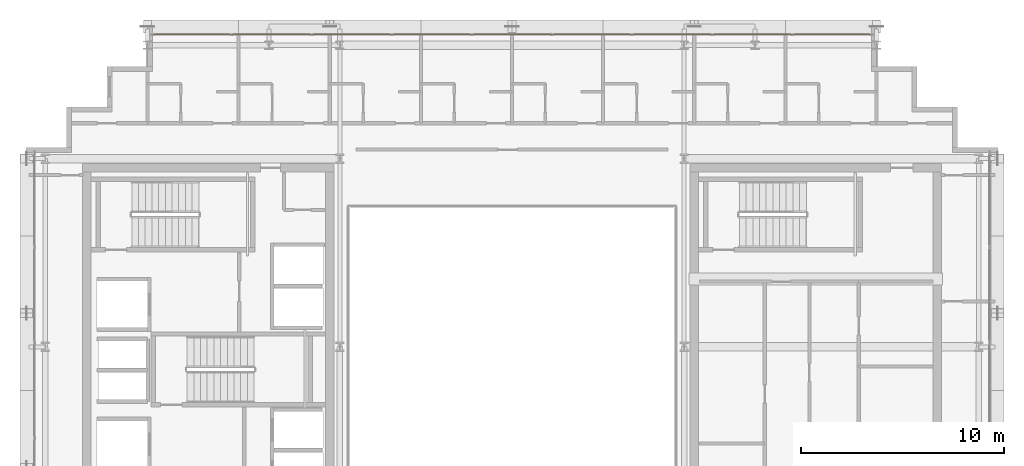
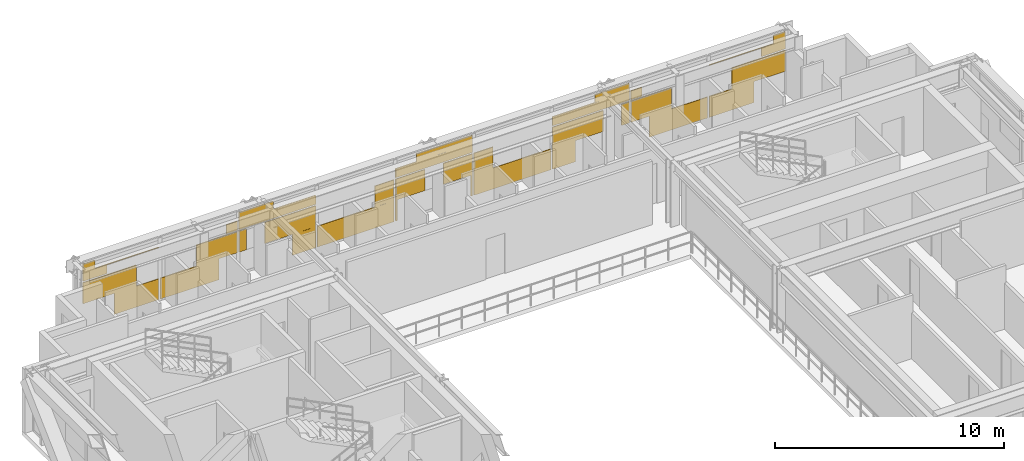
# One storey, part 28 of 28: 1 covering.
"""IFC4 building model written with IfcOpenShell, lengths in metres."""

import ifcopenshell
import ifcopenshell.guid

model = None  # the IFC model being written
_history = None  # IfcOwnerHistory: only IFC2X3 demands one
_inside = {}  # id of a spatial element -> (the spatial element, [elements in it])
_under = {}  # id of a project, library or spatial element -> (it, [spatial elements below it])
_declared = {}  # id of a project -> (the project, [libraries it declares])
_typed = {}  # id of a type object -> (the type object, [elements of that type])
_made_of = {}  # id of a material, layer set ... -> (it, [elements and type objects made of it])


def new_model(schema):
    """Start an empty IFC model of exactly this schema.

    Asked for "IFC4X3", IfcOpenShell would pick the latest addendum, in which some entities
    have other attributes; the version numbers below select the first issue.
    IFC2X3 requires an IfcOwnerHistory on every rooted entity: one is made here for all.
    """
    global model, _history
    if schema == "IFC4X3":
        model = ifcopenshell.file(schema_version=(4, 3, 0, 0))
    else:
        model = ifcopenshell.file(schema=schema)
    _inside.clear()
    _under.clear()
    _declared.clear()
    _typed.clear()
    _made_of.clear()
    _history = None
    if model.schema == "IFC2X3":
        org = make("IfcOrganization", Name="unknown")
        user = make(
            "IfcPersonAndOrganization",
            ThePerson=make("IfcPerson", FamilyName="unknown"),
            TheOrganization=org,
        )
        app = make(
            "IfcApplication",
            ApplicationDeveloper=org,
            Version="unknown",
            ApplicationFullName="unknown",
            ApplicationIdentifier="unknown",
        )
        _history = make(
            "IfcOwnerHistory",
            OwningUser=user,
            OwningApplication=app,
            ChangeAction="ADDED",
            CreationDate=0,
        )
    return model


def make(cls, **values):
    """One entity of the class cls with the attributes given. An attribute that is None is left unset."""
    return model.create_entity(
        cls, **{name: value for name, value in values.items() if value is not None}
    )


def rooted(cls, **values):
    """An entity with a GlobalId (a new one), such as an element, a storey or a relation."""
    return make(cls, GlobalId=ifcopenshell.guid.new(), OwnerHistory=_history, **values)


def si_unit(unit_type, name, prefix=None):
    """IfcSIUnit, for example si_unit("LENGTHUNIT", "METRE", prefix="MILLI")."""
    return make("IfcSIUnit", UnitType=unit_type, Prefix=prefix, Name=name)


def assignment(units):
    """IfcUnitAssignment: the units of a project."""
    return None if units is None else make("IfcUnitAssignment", Units=units)


def point(xyz):
    """IfcCartesianPoint."""
    return None if xyz is None else make("IfcCartesianPoint", Coordinates=xyz)


def direction(xyz):
    """IfcDirection."""
    return None if xyz is None else make("IfcDirection", DirectionRatios=xyz)


def frame(location, z_axis=None, x_axis=None):
    """IfcAxis2Placement3D, a coordinate frame: its origin and axes. An axis left out is left unset."""
    return make(
        "IfcAxis2Placement3D",
        Location=point(location),
        Axis=direction(z_axis),
        RefDirection=direction(x_axis),
    )


def frame_2d(location, x_axis=None):
    """IfcAxis2Placement2D, a coordinate frame in the plane: its origin and x axis."""
    return make(
        "IfcAxis2Placement2D", Location=point(location), RefDirection=direction(x_axis)
    )


def origin():
    """The frame at (0, 0, 0) with its axes left unset."""
    return frame((0.0, 0.0, 0.0))


def origin_2d():
    """The frame at (0, 0) in the plane with its x axis left unset."""
    return frame_2d((0.0, 0.0))


def place(relative_to, where):
    """IfcLocalPlacement: puts the frame where relative to a parent placement (None: the world)."""
    return make(
        "IfcLocalPlacement", PlacementRelTo=relative_to, RelativePlacement=where
    )


def context(
    kind, dimensions, precision=None, world=None, true_north=None, identifier=None
):
    """IfcGeometricRepresentationContext, for example the 3D "Model" context."""
    return make(
        "IfcGeometricRepresentationContext",
        ContextIdentifier=identifier,
        ContextType=kind,
        CoordinateSpaceDimension=dimensions,
        Precision=precision,
        WorldCoordinateSystem=world,
        TrueNorth=true_north,
    )


def subcontext(parent, identifier, kind, view, scale=None):
    """IfcGeometricRepresentationSubContext, for example "Body" below "Model"."""
    return make(
        "IfcGeometricRepresentationSubContext",
        ContextIdentifier=identifier,
        ContextType=kind,
        ParentContext=parent,
        TargetScale=scale,
        TargetView=view,
    )


def project(units=None, contexts=None):
    """IfcProject with its units and contexts."""
    return rooted(
        "IfcProject",
        Name="project",
        RepresentationContexts=contexts,
        UnitsInContext=assignment(units),
    )


def spatial(cls, under=None, at=None, **own):
    """A site, building, storey or space (cls), placed at a placement, below another one or the project."""
    s = rooted(cls, ObjectPlacement=at, **own)
    if under is not None:
        _under.setdefault(under.id(), (under, []))[1].append(s)
    return s


def profile(cls, at=None, kind="AREA", **sizes):
    """A parametric profile (cls). Its sizes go by their IFC names, for example OverallWidth=200.0."""
    return make(cls, ProfileType=kind, Position=at, **sizes)


def rectangle(**sizes):
    """IfcRectangleProfileDef."""
    return profile("IfcRectangleProfileDef", **sizes)


def extrude(swept, where, along, depth):
    """IfcExtrudedAreaSolid: the profile swept, set in the frame where, extruded along a direction by depth."""
    return make(
        "IfcExtrudedAreaSolid",
        SweptArea=swept,
        Position=where,
        ExtrudedDirection=direction(along),
        Depth=depth,
    )


def shape(context_of_items, identifier, shape_type, items):
    """IfcShapeRepresentation: the items that make up one representation, for example the "Body"."""
    return make(
        "IfcShapeRepresentation",
        ContextOfItems=context_of_items,
        RepresentationIdentifier=identifier,
        RepresentationType=shape_type,
        Items=items,
    )


def material(Name=None, Category=None):
    """IfcMaterial."""
    return make("IfcMaterial", Name=Name, Category=Category)


def layer(
    of_material, thickness, ventilated=None, Name=None, Category=None, Priority=None
):
    """IfcMaterialLayer: one layer of a wall or slab, of a material (None: an air gap)."""
    return make(
        "IfcMaterialLayer",
        Material=of_material,
        LayerThickness=thickness,
        IsVentilated=ventilated,
        Name=Name,
        Category=Category,
        Priority=Priority,
    )


def layer_set(layers, Name=None):
    """IfcMaterialLayerSet."""
    return make("IfcMaterialLayerSet", MaterialLayers=layers, LayerSetName=Name)


def made_of(thing, what):
    """Note that an element or type object is made of a material, layer set ...; save() writes the relation."""
    if what is not None:
        _made_of.setdefault(what.id(), (what, []))[1].append(thing)
    return thing


def type_object(cls, material=None, **own):
    """A type object (cls), such as IfcWallType, which elements share."""
    return made_of(rooted(cls, **own), material)


def element(
    cls,
    number,
    at=None,
    inside=None,
    cuts=None,
    type_object=None,
    material=None,
    context=None,
    identifier="Body",
    shape_type=None,
    held_by="IfcProductDefinitionShape",
    body=None,
    shapes=None,
    **own,
):
    """One element of the class cls, such as IfcWall. Its Tag is "e" and its number.

    at: its placement. inside: the storey or other place that contains it. cuts: it is an
    opening in that element (IfcRelVoidsElement). A single representation is given by context,
    identifier, shape_type and body (its items); several are given by shapes. held_by: the class
    of the entity that holds the representations. save() writes the other relations.
    """
    e = rooted(cls, Tag="e%d" % number, ObjectPlacement=at, **own)
    if body is not None:
        shapes = [shape(context, identifier, shape_type, body)]
    if shapes is not None:
        e.Representation = make(held_by, Representations=shapes)
    if inside is not None:
        _inside.setdefault(inside.id(), (inside, []))[1].append(e)
    if cuts is not None:
        rooted(
            "IfcRelVoidsElement", RelatingBuildingElement=cuts, RelatedOpeningElement=e
        )
    if type_object is not None:
        _typed.setdefault(type_object.id(), (type_object, []))[1].append(e)
    return made_of(e, material)


def aggregate(whole, parts):
    """IfcRelAggregates: a whole, such as a stair, and the parts it consists of."""
    return rooted("IfcRelAggregates", RelatingObject=whole, RelatedObjects=parts)


def save(model, path):
    """Write the relations noted so far, then the file.

    IfcRelAggregates (storeys below a building ...), IfcRelContainedInSpatialStructure (elements
    in a storey), IfcRelDefinesByType, IfcRelAssociatesMaterial and IfcRelDeclares: one each for
    every whole, place, type object, material and project.
    """
    for whole, parts in _under.values():
        aggregate(whole, parts)
    for where, things in _inside.values():
        rooted(
            "IfcRelContainedInSpatialStructure",
            RelatedElements=things,
            RelatingStructure=where,
        )
    for kind, things in _typed.values():
        rooted("IfcRelDefinesByType", RelatedObjects=things, RelatingType=kind)
    for what, things in _made_of.values():
        rooted("IfcRelAssociatesMaterial", RelatedObjects=things, RelatingMaterial=what)
    for by, libraries in _declared.values():
        rooted("IfcRelDeclares", RelatingContext=by, RelatedDefinitions=libraries)
    model.write(path)


model = new_model("IFC4")

# Units and contexts
model_context = context("Model", 3, precision=1e-05, world=origin(), true_north=direction((0.0, 1.0)))
body_context = subcontext(model_context, "Body", "Model", "MODEL_VIEW")
ifc_project = project(units=[si_unit("LENGTHUNIT", "METRE"), si_unit("AREAUNIT", "SQUARE_METRE"), si_unit("VOLUMEUNIT", "CUBIC_METRE"), si_unit("PLANEANGLEUNIT", "RADIAN"), si_unit("MASSUNIT", "GRAM", prefix="KILO")], contexts=[model_context])

# Site, building, storey
site_placement = place(None, origin())
site = spatial("IfcSite", under=ifc_project, at=site_placement, CompositionType="ELEMENT")
building_placement = place(site_placement, origin())
building = spatial("IfcBuilding", under=site, at=building_placement, Name="Ocotamira Hotel", CompositionType="ELEMENT")
storey_placement = place(building_placement, frame((0.0, 0.0, 240.0)))
storey = spatial("IfcBuildingStorey", under=building, at=storey_placement, Name="L60", CompositionType="ELEMENT", Elevation=240.0)

# Covering
ifc_material = material(Name="Insulated pale-metal aluminium spandrel panel", Category="aluminium")
ifc_layer = layer(ifc_material, 0.044921875)
ifc_layer_set = layer_set([ifc_layer], Name="Insulated pale-metal aluminium spandrel panel")
covering_type = type_object("IfcCoveringType", Name="COV-INFILL-45", PredefinedType="CLADDING", material=ifc_layer_set)
covering_placement = place(storey_placement, origin())
element("IfcCovering", 1, at=covering_placement, inside=storey, type_object=covering_type, Name="L60 Curtain Wall Infill CW-5 CW-L60-N", PredefinedType="CLADDING", context=body_context, shape_type="SweptSolid", body=[
    extrude(rectangle(XDim=2.69970703125, YDim=0.044921875, at=origin_2d()), frame((15.63037109375, 43.580078125, 1.1943359375), z_axis=(0.0, 0.0, 1.0), x_axis=(1.0, 0.0, 0.0)), (0.0, 0.0, 1.0), 1.117919921875),
    extrude(rectangle(XDim=2.25439453125, YDim=0.044921875, at=origin_2d()), frame((16.98779296875, 43.580078125, 0.07568359375), z_axis=(0.0, 0.0, 1.0), x_axis=(1.0, 0.0, 0.0)), (0.0, 0.0, 1.0), 1.117919921875),
    extrude(rectangle(XDim=1.20751953125, YDim=0.044921875, at=origin_2d()), frame((14.88427734375, 43.580078125, 2.3876953125), z_axis=(0.0, 0.0, 1.0), x_axis=(1.0, 0.0, 0.0)), (0.0, 0.0, 1.0), 0.449951171875),
    extrude(rectangle(XDim=3.834716796875, YDim=0.044921875, at=origin_2d()), frame((16.19775390625, 43.580078125, 2.8388671875), z_axis=(0.0, 0.0, 1.0), x_axis=(1.0, 0.0, 0.0)), (0.0, 0.0, 1.0), 0.032958984375),
    extrude(rectangle(XDim=0.601318359375, YDim=0.044921875, at=origin_2d()), frame((14.581298828125, 43.580078125, 2.872802734375), z_axis=(0.0, 0.0, 1.0), x_axis=(1.0, 0.0, 0.0)), (0.0, 0.0, 1.0), 0.431640625),
    extrude(rectangle(XDim=2.943359375, YDim=0.044921875, at=origin_2d()), frame((19.667724609375, 43.580078125, 0.07568359375), z_axis=(0.0, 0.0, 1.0), x_axis=(1.0, 0.0, 0.0)), (0.0, 0.0, 1.0), 1.117919921875),
    extrude(rectangle(XDim=2.05078125, YDim=0.044921875, at=origin_2d()), frame((21.04541015625, 43.580078125, 1.1943359375), z_axis=(0.0, 0.0, 1.0), x_axis=(1.0, 0.0, 0.0)), (0.0, 0.0, 1.0), 1.117919921875),
    extrude(rectangle(XDim=0.55859375, YDim=0.044921875, at=origin_2d()), frame((21.79150390625, 43.580078125, 2.387939453125), z_axis=(0.0, 0.0, 1.0), x_axis=(1.0, 0.0, 0.0)), (0.0, 0.0, 1.0), 0.48388671875),
    extrude(rectangle(XDim=0.38623046875, YDim=0.044921875, at=origin_2d()), frame((22.3447265625, 43.580078125, 1.1943359375), z_axis=(0.0, 0.0, 1.0), x_axis=(1.0, 0.0, 0.0)), (0.0, 0.0, 1.0), 1.117919921875),
    extrude(rectangle(XDim=2.564208984375, YDim=0.044921875, at=origin_2d()), frame((24.744140625, 43.580078125, 1.1943359375), z_axis=(0.0, 0.0, 1.0), x_axis=(1.0, 0.0, 0.0)), (0.0, 0.0, 1.0), 1.117919921875),
    extrude(rectangle(XDim=1.16552734375, YDim=0.044921875, at=origin_2d()), frame((25.443359375, 43.580078125, 0.07568359375), z_axis=(0.0, 0.0, 1.0), x_axis=(1.0, 0.0, 0.0)), (0.0, 0.0, 1.0), 1.117919921875),
    extrude(rectangle(XDim=3.87451171875, YDim=0.044921875, at=origin_2d()), frame((24.0888671875, 43.580078125, 2.387939453125), z_axis=(0.0, 0.0, 1.0), x_axis=(1.0, 0.0, 0.0)), (0.0, 0.0, 1.0), 0.48388671875),
    extrude(rectangle(XDim=1.730224609375, YDim=0.044921875, at=origin_2d()), frame((23.0166015625, 43.580078125, 2.872802734375), z_axis=(0.0, 0.0, 1.0), x_axis=(1.0, 0.0, 0.0)), (0.0, 0.0, 1.0), 0.431640625),
    extrude(rectangle(XDim=3.87451171875, YDim=0.044921875, at=origin_2d()), frame((28.04443359375, 43.580078125, 0.07568359375), z_axis=(0.0, 0.0, 1.0), x_axis=(1.0, 0.0, 0.0)), (0.0, 0.0, 1.0), 1.117919921875),
    extrude(rectangle(XDim=0.9619140625, YDim=0.044921875, at=origin_2d()), frame((29.500732421875, 43.580078125, 1.1943359375), z_axis=(0.0, 0.0, 1.0), x_axis=(1.0, 0.0, 0.0)), (0.0, 0.0, 1.0), 1.117919921875),
    extrude(rectangle(XDim=0.07666015625, YDim=0.044921875, at=origin_2d()), frame((30.10107421875, 43.580078125, 0.07568359375), z_axis=(0.0, 0.0, 1.0), x_axis=(1.0, 0.0, 0.0)), (0.0, 0.0, 1.0), 1.117919921875),
    extrude(rectangle(XDim=1.47509765625, YDim=0.044921875, at=origin_2d()), frame((30.80029296875, 43.580078125, 1.1943359375), z_axis=(0.0, 0.0, 1.0), x_axis=(1.0, 0.0, 0.0)), (0.0, 0.0, 1.0), 1.117919921875),
    extrude(rectangle(XDim=1.47509765625, YDim=0.044921875, at=origin_2d()), frame((33.19970703125, 43.580078125, 1.1943359375), z_axis=(0.0, 0.0, 1.0), x_axis=(1.0, 0.0, 0.0)), (0.0, 0.0, 1.0), 1.117919921875),
    extrude(rectangle(XDim=0.07666015625, YDim=0.044921875, at=origin_2d()), frame((33.89892578125, 43.580078125, 0.07568359375), z_axis=(0.0, 0.0, 1.0), x_axis=(1.0, 0.0, 0.0)), (0.0, 0.0, 1.0), 1.117919921875),
    extrude(rectangle(XDim=3.87451171875, YDim=0.044921875, at=origin_2d()), frame((32.0, 43.580078125, 2.387939453125), z_axis=(0.0, 0.0, 1.0), x_axis=(1.0, 0.0, 0.0)), (0.0, 0.0, 1.0), 0.48388671875),
    extrude(rectangle(XDim=2.819091796875, YDim=0.044921875, at=origin_2d()), frame((32.527587890625, 43.580078125, 2.872802734375), z_axis=(0.0, 0.0, 1.0), x_axis=(1.0, 0.0, 0.0)), (0.0, 0.0, 1.0), 0.431640625),
    extrude(rectangle(XDim=3.87451171875, YDim=0.044921875, at=origin_2d()), frame((35.95556640625, 43.580078125, 0.07568359375), z_axis=(0.0, 0.0, 1.0), x_axis=(1.0, 0.0, 0.0)), (0.0, 0.0, 1.0), 1.117919921875),
    extrude(rectangle(XDim=0.9619140625, YDim=0.044921875, at=origin_2d()), frame((34.499267578125, 43.580078125, 1.1943359375), z_axis=(0.0, 0.0, 1.0), x_axis=(1.0, 0.0, 0.0)), (0.0, 0.0, 1.0), 1.117919921875),
    extrude(rectangle(XDim=1.16552734375, YDim=0.044921875, at=origin_2d()), frame((38.556640625, 43.580078125, 0.07568359375), z_axis=(0.0, 0.0, 1.0), x_axis=(1.0, 0.0, 0.0)), (0.0, 0.0, 1.0), 1.117919921875),
    extrude(rectangle(XDim=2.564208984375, YDim=0.044921875, at=origin_2d()), frame((39.255859375, 43.580078125, 1.1943359375), z_axis=(0.0, 0.0, 1.0), x_axis=(1.0, 0.0, 0.0)), (0.0, 0.0, 1.0), 1.117919921875),
    extrude(rectangle(XDim=0.38623046875, YDim=0.044921875, at=origin_2d()), frame((41.6552734375, 43.580078125, 1.1943359375), z_axis=(0.0, 0.0, 1.0), x_axis=(1.0, 0.0, 0.0)), (0.0, 0.0, 1.0), 1.117919921875),
    extrude(rectangle(XDim=3.87451171875, YDim=0.044921875, at=origin_2d()), frame((39.9111328125, 43.580078125, 2.387939453125), z_axis=(0.0, 0.0, 1.0), x_axis=(1.0, 0.0, 0.0)), (0.0, 0.0, 1.0), 0.48388671875),
    extrude(rectangle(XDim=1.730224609375, YDim=0.044921875, at=origin_2d()), frame((40.9833984375, 43.580078125, 2.872802734375), z_axis=(0.0, 0.0, 1.0), x_axis=(1.0, 0.0, 0.0)), (0.0, 0.0, 1.0), 0.431640625),
    extrude(rectangle(XDim=2.05078125, YDim=0.044921875, at=origin_2d()), frame((42.95458984375, 43.580078125, 1.1943359375), z_axis=(0.0, 0.0, 1.0), x_axis=(1.0, 0.0, 0.0)), (0.0, 0.0, 1.0), 1.117919921875),
    extrude(rectangle(XDim=2.943359375, YDim=0.044921875, at=origin_2d()), frame((44.332275390625, 43.580078125, 0.07568359375), z_axis=(0.0, 0.0, 1.0), x_axis=(1.0, 0.0, 0.0)), (0.0, 0.0, 1.0), 1.117919921875),
    extrude(rectangle(XDim=0.55859375, YDim=0.044921875, at=origin_2d()), frame((42.20849609375, 43.580078125, 2.387939453125), z_axis=(0.0, 0.0, 1.0), x_axis=(1.0, 0.0, 0.0)), (0.0, 0.0, 1.0), 0.48388671875),
    extrude(rectangle(XDim=2.25439453125, YDim=0.044921875, at=origin_2d()), frame((47.01220703125, 43.580078125, 0.07568359375), z_axis=(0.0, 0.0, 1.0), x_axis=(1.0, 0.0, 0.0)), (0.0, 0.0, 1.0), 1.117919921875),
    extrude(rectangle(XDim=2.69970703125, YDim=0.044921875, at=origin_2d()), frame((48.36962890625, 43.580078125, 1.1943359375), z_axis=(0.0, 0.0, 1.0), x_axis=(1.0, 0.0, 0.0)), (0.0, 0.0, 1.0), 1.117919921875),
    extrude(rectangle(XDim=3.834716796875, YDim=0.044921875, at=origin_2d()), frame((47.80224609375, 43.580078125, 2.8388671875), z_axis=(0.0, 0.0, 1.0), x_axis=(1.0, 0.0, 0.0)), (0.0, 0.0, 1.0), 0.032958984375),
    extrude(rectangle(XDim=1.20751953125, YDim=0.044921875, at=origin_2d()), frame((49.11572265625, 43.580078125, 2.3876953125), z_axis=(0.0, 0.0, 1.0), x_axis=(1.0, 0.0, 0.0)), (0.0, 0.0, 1.0), 0.449951171875),
    extrude(rectangle(XDim=0.601318359375, YDim=0.044921875, at=origin_2d()), frame((49.418701171875, 43.580078125, 2.872802734375), z_axis=(0.0, 0.0, 1.0), x_axis=(1.0, 0.0, 0.0)), (0.0, 0.0, 1.0), 0.431640625),
])

save(model, "model.ifc")
